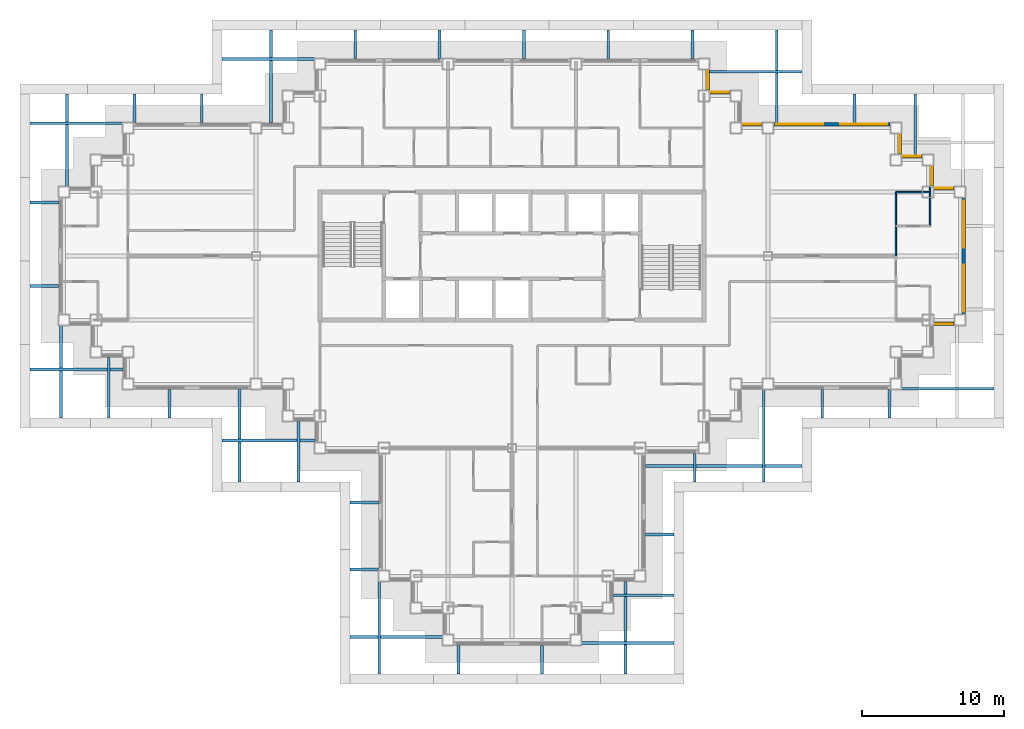
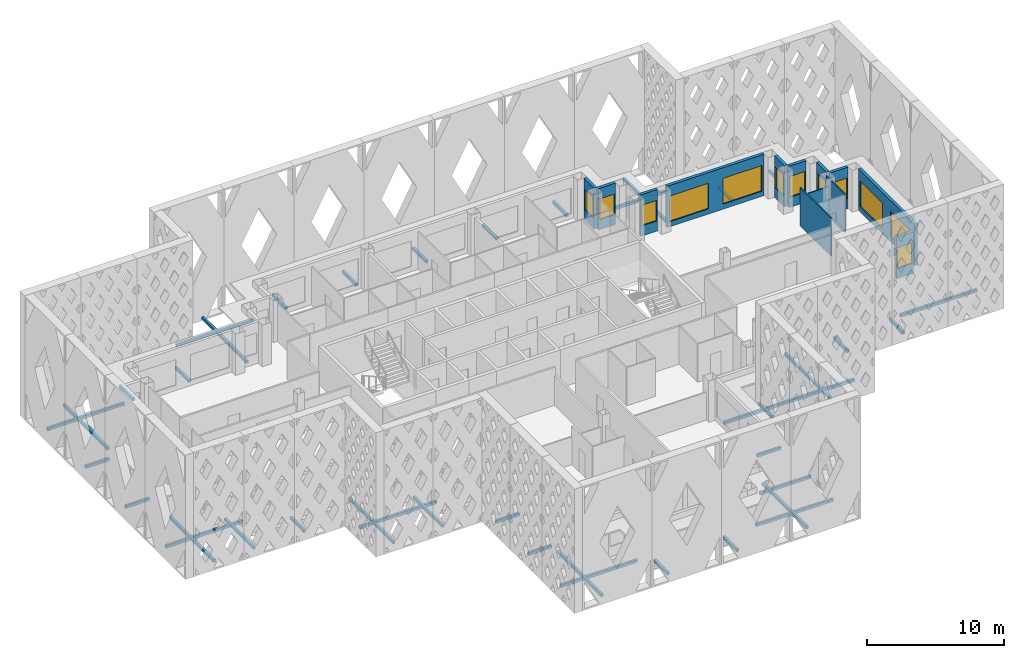
# One storey, part 9 of 18: 40 discrete accessories, 13 walls, 12 windows, 12 openings.
"""IFC4 building model written with IfcOpenShell, lengths in metres."""

from ifc_helpers import new_model, si_unit, direction, frame, frame_2d, origin, origin_2d, place, context, subcontext, project, spatial, rectangle, extrude, material, layer, layer_set, type_object, element, fill, save


model = new_model("IFC4")

# Units and contexts
model_context = context("Model", 3, precision=1e-05, world=origin(), true_north=direction((0.0, 1.0)))
body_context = subcontext(model_context, "Body", "Model", "MODEL_VIEW")
ifc_project = project(units=[si_unit("LENGTHUNIT", "METRE"), si_unit("AREAUNIT", "SQUARE_METRE"), si_unit("VOLUMEUNIT", "CUBIC_METRE"), si_unit("PLANEANGLEUNIT", "RADIAN"), si_unit("MASSUNIT", "GRAM", prefix="KILO")], contexts=[model_context])

# Site, building, storey
site_placement = place(None, origin())
site = spatial("IfcSite", under=ifc_project, at=site_placement, CompositionType="ELEMENT")
building_placement = place(site_placement, origin())
building = spatial("IfcBuilding", under=site, at=building_placement, Name="Caravel Reach Hotel and Residences", CompositionType="ELEMENT")
storey_placement = place(building_placement, frame((0.0, 0.0, 165.39990234375)))
storey = spatial("IfcBuildingStorey", under=building, at=storey_placement, Name="L41", CompositionType="ELEMENT", Elevation=165.39990234375)

# Wall
ifc_material_1 = material(Name="Gypsum board on steel stud", Category="steel")
ifc_layer_1 = layer(ifc_material_1, 0.10009765625)
ifc_layer_set_1 = layer_set([ifc_layer_1], Name="Bathroom pod wall 100 mm")
wall_type_1 = type_object("IfcWallType", Name="Bathroom pod wall 100 mm", PredefinedType="PARTITIONING", material=ifc_layer_set_1)
wall_1_placement = place(storey_placement, frame((60.89990234375, 29.10009765625, 0.0), z_axis=(0.0, 0.0, 1.0), x_axis=(0.0, 1.0, 0.0)))
element("IfcWall", 1, at=wall_1_placement, inside=storey, type_object=wall_type_1, Name="L41 wall w104", PredefinedType="PARTITIONING", context=body_context, shape_type="SweptSolid", body=[
    extrude(rectangle(XDim=2.7998046875, YDim=0.10009765625, at=frame_2d((1.39990234375, 0.0))), origin(), (0.0, 0.0, 1.0), 3.400146484375),
])

# Wall, opening, window
ifc_material_2 = material(Name="Insulated rainscreen wall, aluminium cladding", Category="aluminium")
ifc_layer_2 = layer(ifc_material_2, 0.25)
ifc_layer_set_2 = layer_set([ifc_layer_2], Name="EW1 Tower rainscreen wall")
wall_type_2 = type_object("IfcWallType", Name="EW1 Tower rainscreen wall", PredefinedType="SOLIDWALL", material=ifc_layer_set_2)
wall_2_placement = place(storey_placement, frame((61.14990234375, 22.22509765625, 0.0), z_axis=(0.0, 0.0, 1.0), x_axis=(1.0, 0.0, 0.0)))
wall_2 = element("IfcWall", 2, at=wall_2_placement, inside=storey, type_object=wall_type_2, Name="External wall L41 S19.1", PredefinedType="SOLIDWALL", context=body_context, shape_type="SweptSolid", body=[
    extrude(rectangle(XDim=1.4501953125, YDim=0.25, at=frame_2d((0.72509765625, 0.0))), origin(), (0.0, 0.0, 1.0), 3.7001953125),
])
opening_1_placement = place(wall_2_placement, frame((0.10009765625, 0.0, 0.89990234375)))
opening_1 = element("IfcOpeningElement", 3, at=opening_1_placement, cuts=wall_2, Name="Opening WN13", PredefinedType="OPENING", context=body_context, shape_type="SweptSolid", body=[
    extrude(rectangle(XDim=1.25, YDim=1.85009765625, at=frame_2d((0.625, 0.925048828125))), frame((0.0, 0.135009765625, 0.0), z_axis=(0.0, -1.0, 0.0), x_axis=(1.0, 0.0, 0.0)), (0.0, 0.0, 1.0), 0.27001953125),
])
ifc_material_3 = material(Name="Dark low-e glazing in black aluminium frame", Category="aluminium")
window_type_1 = type_object("IfcWindowType", Name="Residence bedroom window 1250 x 1850", PartitioningType="SINGLE_PANEL", PredefinedType="WINDOW", material=ifc_material_3)
window_1_placement = place(opening_1_placement, origin())
window_1 = element("IfcWindow", 4, at=window_1_placement, inside=storey, type_object=window_type_1, Name="Window L41 S19.1.1", OverallHeight=1.85009765625, OverallWidth=1.25, PartitioningType="SINGLE_PANEL", PredefinedType="WINDOW", context=body_context, shape_type="SweptSolid", body=[
    extrude(rectangle(XDim=1.25, YDim=1.85009765625, at=frame_2d((0.625, 0.925048828125))), frame((0.0, 0.030029296875, 0.0), z_axis=(0.0, -1.0, 0.0), x_axis=(1.0, 0.0, 0.0)), (0.0, 0.0, 1.0), 0.06005859375),
])
fill(opening_1, window_1)

# Wall, openings, windows
wall_3_placement = place(storey_placement, frame((63.27490234375, 22.89990234375, 0.0), z_axis=(0.0, 0.0, 1.0), x_axis=(0.0, 1.0, 0.0)))
wall_3 = element("IfcWall", 5, at=wall_3_placement, inside=storey, type_object=wall_type_2, Name="External wall L41 E20.1", PredefinedType="SOLIDWALL", context=body_context, shape_type="SweptSolid", body=[
    extrude(rectangle(XDim=8.2001953125, YDim=0.25, at=frame_2d((4.10009765625, 0.0))), origin(), (0.0, 0.0, 1.0), 3.7001953125),
])
opening_2_placement = place(wall_3_placement, frame((0.199951171875, 0.0, 0.449951171875)))
opening_2 = element("IfcOpeningElement", 6, at=opening_2_placement, cuts=wall_3, Name="Opening WN15", PredefinedType="OPENING", context=body_context, shape_type="SweptSolid", body=[
    extrude(rectangle(XDim=3.300048828125, YDim=2.300048828125, at=frame_2d((1.64990234375, 1.14990234375))), frame((0.0, 0.135009765625, 0.0), z_axis=(0.0, -1.0, 0.0), x_axis=(1.0, 0.0, 0.0)), (0.0, 0.0, 1.0), 0.27001953125),
])
opening_3_placement = place(wall_3_placement, frame((4.699951171875, 0.0, 0.449951171875)))
opening_3 = element("IfcOpeningElement", 7, at=opening_3_placement, cuts=wall_3, Name="Opening WN15", PredefinedType="OPENING", context=body_context, shape_type="SweptSolid", body=[
    extrude(rectangle(XDim=3.300048828125, YDim=2.300048828125, at=frame_2d((1.64990234375, 1.14990234375))), frame((0.0, 0.135009765625, 0.0), z_axis=(0.0, -1.0, 0.0), x_axis=(1.0, 0.0, 0.0)), (0.0, 0.0, 1.0), 0.27001953125),
])
ifc_material_4 = material(Name="Dark low-e glazing in black aluminium frame", Category="aluminium")
window_type_2 = type_object("IfcWindowType", Name="Residence living window 3300 x 2300", PartitioningType="SINGLE_PANEL", PredefinedType="WINDOW", material=ifc_material_4)
window_2_placement = place(opening_2_placement, origin())
window_2 = element("IfcWindow", 8, at=window_2_placement, inside=storey, type_object=window_type_2, Name="Window L41 E20.1.1", OverallHeight=2.300048828125, OverallWidth=3.300048828125, PartitioningType="SINGLE_PANEL", PredefinedType="WINDOW", context=body_context, shape_type="SweptSolid", body=[
    extrude(rectangle(XDim=3.300048828125, YDim=2.300048828125, at=frame_2d((1.64990234375, 1.14990234375))), frame((0.0, 0.030029296875, 0.0), z_axis=(0.0, -1.0, 0.0), x_axis=(1.0, 0.0, 0.0)), (0.0, 0.0, 1.0), 0.06005859375),
])
fill(opening_2, window_2)
window_3_placement = place(opening_3_placement, origin())
window_3 = element("IfcWindow", 9, at=window_3_placement, inside=storey, type_object=window_type_2, Name="Window L41 E20.1.2", OverallHeight=2.300048828125, OverallWidth=3.300048828125, PartitioningType="SINGLE_PANEL", PredefinedType="WINDOW", context=body_context, shape_type="SweptSolid", body=[
    extrude(rectangle(XDim=3.300048828125, YDim=2.300048828125, at=frame_2d((1.64990234375, 1.14990234375))), frame((0.0, 0.030029296875, 0.0), z_axis=(0.0, -1.0, 0.0), x_axis=(1.0, 0.0, 0.0)), (0.0, 0.0, 1.0), 0.06005859375),
])
fill(opening_3, window_3)

# Wall, opening, window
wall_4_placement = place(storey_placement, frame((62.60009765625, 31.77490234375, 0.0), z_axis=(0.0, 0.0, 1.0), x_axis=(-1.0, 0.0, 0.0)))
wall_4 = element("IfcWall", 10, at=wall_4_placement, inside=storey, type_object=wall_type_2, Name="External wall L41 N21.1", PredefinedType="SOLIDWALL", context=body_context, shape_type="SweptSolid", body=[
    extrude(rectangle(XDim=1.4501953125, YDim=0.25, at=frame_2d((0.72509765625, 0.0))), origin(), (0.0, 0.0, 1.0), 3.7001953125),
])
opening_4_placement = place(wall_4_placement, frame((0.10009765625, 0.0, 0.89990234375)))
opening_4 = element("IfcOpeningElement", 11, at=opening_4_placement, cuts=wall_4, Name="Opening WN13", PredefinedType="OPENING", context=body_context, shape_type="SweptSolid", body=[
    extrude(rectangle(XDim=1.25, YDim=1.85009765625, at=frame_2d((0.625, 0.925048828125))), frame((0.0, 0.135009765625, 0.0), z_axis=(0.0, -1.0, 0.0), x_axis=(1.0, 0.0, 0.0)), (0.0, 0.0, 1.0), 0.27001953125),
])
window_4_placement = place(opening_4_placement, origin())
window_4 = element("IfcWindow", 12, at=window_4_placement, inside=storey, type_object=window_type_1, Name="Window L41 N21.1.1", OverallHeight=1.85009765625, OverallWidth=1.25, PartitioningType="SINGLE_PANEL", PredefinedType="WINDOW", context=body_context, shape_type="SweptSolid", body=[
    extrude(rectangle(XDim=1.25, YDim=1.85009765625, at=frame_2d((0.625, 0.925048828125))), frame((0.0, 0.030029296875, 0.0), z_axis=(0.0, -1.0, 0.0), x_axis=(1.0, 0.0, 0.0)), (0.0, 0.0, 1.0), 0.06005859375),
])
fill(opening_4, window_4)

wall_5_placement = place(storey_placement, frame((61.02490234375, 31.89990234375, 0.0), z_axis=(0.0, 0.0, 1.0), x_axis=(0.0, 1.0, 0.0)))
wall_5 = element("IfcWall", 13, at=wall_5_placement, inside=storey, type_object=wall_type_2, Name="External wall L41 E22.1", PredefinedType="SOLIDWALL", context=body_context, shape_type="SweptSolid", body=[
    extrude(rectangle(XDim=1.4501953125, YDim=0.25, at=frame_2d((0.72509765625, 0.0))), origin(), (0.0, 0.0, 1.0), 3.7001953125),
])
opening_5_placement = place(wall_5_placement, frame((0.10009765625, 0.0, 0.89990234375)))
opening_5 = element("IfcOpeningElement", 14, at=opening_5_placement, cuts=wall_5, Name="Opening WN13", PredefinedType="OPENING", context=body_context, shape_type="SweptSolid", body=[
    extrude(rectangle(XDim=1.25, YDim=1.85009765625, at=frame_2d((0.625, 0.925048828125))), frame((0.0, 0.135009765625, 0.0), z_axis=(0.0, -1.0, 0.0), x_axis=(1.0, 0.0, 0.0)), (0.0, 0.0, 1.0), 0.27001953125),
])
window_5_placement = place(opening_5_placement, origin())
window_5 = element("IfcWindow", 15, at=window_5_placement, inside=storey, type_object=window_type_1, Name="Window L41 E22.1.1", OverallHeight=1.85009765625, OverallWidth=1.25, PartitioningType="SINGLE_PANEL", PredefinedType="WINDOW", context=body_context, shape_type="SweptSolid", body=[
    extrude(rectangle(XDim=1.25, YDim=1.85009765625, at=frame_2d((0.625, 0.925048828125))), frame((0.0, 0.030029296875, 0.0), z_axis=(0.0, -1.0, 0.0), x_axis=(1.0, 0.0, 0.0)), (0.0, 0.0, 1.0), 0.06005859375),
])
fill(opening_5, window_5)

wall_6_placement = place(storey_placement, frame((60.35009765625, 34.02490234375, 0.0), z_axis=(0.0, 0.0, 1.0), x_axis=(-1.0, 0.0, 0.0)))
wall_6 = element("IfcWall", 16, at=wall_6_placement, inside=storey, type_object=wall_type_2, Name="External wall L41 N23.1", PredefinedType="SOLIDWALL", context=body_context, shape_type="SweptSolid", body=[
    extrude(rectangle(XDim=1.4501953125, YDim=0.25, at=frame_2d((0.72509765625, 0.0))), origin(), (0.0, 0.0, 1.0), 3.7001953125),
])
opening_6_placement = place(wall_6_placement, frame((0.10009765625, 0.0, 0.89990234375)))
opening_6 = element("IfcOpeningElement", 17, at=opening_6_placement, cuts=wall_6, Name="Opening WN13", PredefinedType="OPENING", context=body_context, shape_type="SweptSolid", body=[
    extrude(rectangle(XDim=1.25, YDim=1.85009765625, at=frame_2d((0.625, 0.925048828125))), frame((0.0, 0.135009765625, 0.0), z_axis=(0.0, -1.0, 0.0), x_axis=(1.0, 0.0, 0.0)), (0.0, 0.0, 1.0), 0.27001953125),
])
window_6_placement = place(opening_6_placement, origin())
window_6 = element("IfcWindow", 18, at=window_6_placement, inside=storey, type_object=window_type_1, Name="Window L41 N23.1.1", OverallHeight=1.85009765625, OverallWidth=1.25, PartitioningType="SINGLE_PANEL", PredefinedType="WINDOW", context=body_context, shape_type="SweptSolid", body=[
    extrude(rectangle(XDim=1.25, YDim=1.85009765625, at=frame_2d((0.625, 0.925048828125))), frame((0.0, 0.030029296875, 0.0), z_axis=(0.0, -1.0, 0.0), x_axis=(1.0, 0.0, 0.0)), (0.0, 0.0, 1.0), 0.06005859375),
])
fill(opening_6, window_6)

wall_7_placement = place(storey_placement, frame((58.77490234375, 34.14990234375, 0.0), z_axis=(0.0, 0.0, 1.0), x_axis=(0.0, 1.0, 0.0)))
wall_7 = element("IfcWall", 19, at=wall_7_placement, inside=storey, type_object=wall_type_2, Name="External wall L41 E24.1", PredefinedType="SOLIDWALL", context=body_context, shape_type="SweptSolid", body=[
    extrude(rectangle(XDim=1.4501953125, YDim=0.25, at=frame_2d((0.72509765625, 0.0))), origin(), (0.0, 0.0, 1.0), 3.7001953125),
])
opening_7_placement = place(wall_7_placement, frame((0.10009765625, 0.0, 0.89990234375)))
opening_7 = element("IfcOpeningElement", 20, at=opening_7_placement, cuts=wall_7, Name="Opening WN13", PredefinedType="OPENING", context=body_context, shape_type="SweptSolid", body=[
    extrude(rectangle(XDim=1.25, YDim=1.85009765625, at=frame_2d((0.625, 0.925048828125))), frame((0.0, 0.135009765625, 0.0), z_axis=(0.0, -1.0, 0.0), x_axis=(1.0, 0.0, 0.0)), (0.0, 0.0, 1.0), 0.27001953125),
])
window_7_placement = place(opening_7_placement, origin())
window_7 = element("IfcWindow", 21, at=window_7_placement, inside=storey, type_object=window_type_1, Name="Window L41 E24.1.1", OverallHeight=1.85009765625, OverallWidth=1.25, PartitioningType="SINGLE_PANEL", PredefinedType="WINDOW", context=body_context, shape_type="SweptSolid", body=[
    extrude(rectangle(XDim=1.25, YDim=1.85009765625, at=frame_2d((0.625, 0.925048828125))), frame((0.0, 0.030029296875, 0.0), z_axis=(0.0, -1.0, 0.0), x_axis=(1.0, 0.0, 0.0)), (0.0, 0.0, 1.0), 0.06005859375),
])
fill(opening_7, window_7)

# Wall, openings, windows
wall_8_placement = place(storey_placement, frame((58.10009765625, 36.27490234375, 0.0), z_axis=(0.0, 0.0, 1.0), x_axis=(-1.0, 0.0, 0.0)))
wall_8 = element("IfcWall", 22, at=wall_8_placement, inside=storey, type_object=wall_type_2, Name="External wall L41 N25.1", PredefinedType="SOLIDWALL", context=body_context, shape_type="SweptSolid", body=[
    extrude(rectangle(XDim=8.2001953125, YDim=0.25, at=frame_2d((4.10009765625, 0.0))), origin(), (0.0, 0.0, 1.0), 3.7001953125),
])
opening_8_placement = place(wall_8_placement, frame((0.199951171875, 0.0, 0.449951171875)))
opening_8 = element("IfcOpeningElement", 23, at=opening_8_placement, cuts=wall_8, Name="Opening WN15", PredefinedType="OPENING", context=body_context, shape_type="SweptSolid", body=[
    extrude(rectangle(XDim=3.300048828125, YDim=2.300048828125, at=frame_2d((1.64990234375, 1.14990234375))), frame((0.0, 0.135009765625, 0.0), z_axis=(0.0, -1.0, 0.0), x_axis=(1.0, 0.0, 0.0)), (0.0, 0.0, 1.0), 0.27001953125),
])
opening_9_placement = place(wall_8_placement, frame((4.699951171875, 0.0, 0.449951171875)))
opening_9 = element("IfcOpeningElement", 24, at=opening_9_placement, cuts=wall_8, Name="Opening WN15", PredefinedType="OPENING", context=body_context, shape_type="SweptSolid", body=[
    extrude(rectangle(XDim=3.300048828125, YDim=2.300048828125, at=frame_2d((1.64990234375, 1.14990234375))), frame((0.0, 0.135009765625, 0.0), z_axis=(0.0, -1.0, 0.0), x_axis=(1.0, 0.0, 0.0)), (0.0, 0.0, 1.0), 0.27001953125),
])
window_8_placement = place(opening_8_placement, origin())
window_8 = element("IfcWindow", 25, at=window_8_placement, inside=storey, type_object=window_type_2, Name="Window L41 N25.1.1", OverallHeight=2.300048828125, OverallWidth=3.300048828125, PartitioningType="SINGLE_PANEL", PredefinedType="WINDOW", context=body_context, shape_type="SweptSolid", body=[
    extrude(rectangle(XDim=3.300048828125, YDim=2.300048828125, at=frame_2d((1.64990234375, 1.14990234375))), frame((0.0, 0.030029296875, 0.0), z_axis=(0.0, -1.0, 0.0), x_axis=(1.0, 0.0, 0.0)), (0.0, 0.0, 1.0), 0.06005859375),
])
fill(opening_8, window_8)
window_9_placement = place(opening_9_placement, origin())
window_9 = element("IfcWindow", 26, at=window_9_placement, inside=storey, type_object=window_type_2, Name="Window L41 N25.1.2", OverallHeight=2.300048828125, OverallWidth=3.300048828125, PartitioningType="SINGLE_PANEL", PredefinedType="WINDOW", context=body_context, shape_type="SweptSolid", body=[
    extrude(rectangle(XDim=3.300048828125, YDim=2.300048828125, at=frame_2d((1.64990234375, 1.14990234375))), frame((0.0, 0.030029296875, 0.0), z_axis=(0.0, -1.0, 0.0), x_axis=(1.0, 0.0, 0.0)), (0.0, 0.0, 1.0), 0.06005859375),
])
fill(opening_9, window_9)

# Wall, opening, window
wall_9_placement = place(storey_placement, frame((49.10009765625, 36.27490234375, 0.0), z_axis=(0.0, 0.0, 1.0), x_axis=(-1.0, 0.0, 0.0)))
wall_9 = element("IfcWall", 27, at=wall_9_placement, inside=storey, type_object=wall_type_2, Name="External wall L41 N25.2", PredefinedType="SOLIDWALL", context=body_context, shape_type="SweptSolid", body=[
    extrude(rectangle(XDim=1.4501953125, YDim=0.25, at=frame_2d((0.72509765625, 0.0))), origin(), (0.0, 0.0, 1.0), 3.7001953125),
])
opening_10_placement = place(wall_9_placement, frame((0.10009765625, 0.0, 0.89990234375)))
opening_10 = element("IfcOpeningElement", 28, at=opening_10_placement, cuts=wall_9, Name="Opening WN13", PredefinedType="OPENING", context=body_context, shape_type="SweptSolid", body=[
    extrude(rectangle(XDim=1.25, YDim=1.85009765625, at=frame_2d((0.625, 0.925048828125))), frame((0.0, 0.135009765625, 0.0), z_axis=(0.0, -1.0, 0.0), x_axis=(1.0, 0.0, 0.0)), (0.0, 0.0, 1.0), 0.27001953125),
])
window_10_placement = place(opening_10_placement, origin())
window_10 = element("IfcWindow", 29, at=window_10_placement, inside=storey, type_object=window_type_1, Name="Window L41 N25.2.1", OverallHeight=1.85009765625, OverallWidth=1.25, PartitioningType="SINGLE_PANEL", PredefinedType="WINDOW", context=body_context, shape_type="SweptSolid", body=[
    extrude(rectangle(XDim=1.25, YDim=1.85009765625, at=frame_2d((0.625, 0.925048828125))), frame((0.0, 0.030029296875, 0.0), z_axis=(0.0, -1.0, 0.0), x_axis=(1.0, 0.0, 0.0)), (0.0, 0.0, 1.0), 0.06005859375),
])
fill(opening_10, window_10)

wall_10_placement = place(storey_placement, frame((46.85009765625, 38.52490234375, 0.0), z_axis=(0.0, 0.0, 1.0), x_axis=(-1.0, 0.0, 0.0)))
wall_10 = element("IfcWall", 30, at=wall_10_placement, inside=storey, type_object=wall_type_2, Name="External wall L41 N27.1", PredefinedType="SOLIDWALL", context=body_context, shape_type="SweptSolid", body=[
    extrude(rectangle(XDim=1.4501953125, YDim=0.25, at=frame_2d((0.72509765625, 0.0))), origin(), (0.0, 0.0, 1.0), 3.7001953125),
])
opening_11_placement = place(wall_10_placement, frame((0.10009765625, 0.0, 0.89990234375)))
opening_11 = element("IfcOpeningElement", 31, at=opening_11_placement, cuts=wall_10, Name="Opening WN13", PredefinedType="OPENING", context=body_context, shape_type="SweptSolid", body=[
    extrude(rectangle(XDim=1.25, YDim=1.85009765625, at=frame_2d((0.625, 0.925048828125))), frame((0.0, 0.135009765625, 0.0), z_axis=(0.0, -1.0, 0.0), x_axis=(1.0, 0.0, 0.0)), (0.0, 0.0, 1.0), 0.27001953125),
])
window_11_placement = place(opening_11_placement, origin())
window_11 = element("IfcWindow", 32, at=window_11_placement, inside=storey, type_object=window_type_1, Name="Window L41 N27.1.1", OverallHeight=1.85009765625, OverallWidth=1.25, PartitioningType="SINGLE_PANEL", PredefinedType="WINDOW", context=body_context, shape_type="SweptSolid", body=[
    extrude(rectangle(XDim=1.25, YDim=1.85009765625, at=frame_2d((0.625, 0.925048828125))), frame((0.0, 0.030029296875, 0.0), z_axis=(0.0, -1.0, 0.0), x_axis=(1.0, 0.0, 0.0)), (0.0, 0.0, 1.0), 0.06005859375),
])
fill(opening_11, window_11)

wall_11_placement = place(storey_placement, frame((45.27490234375, 38.64990234375, 0.0), z_axis=(0.0, 0.0, 1.0), x_axis=(0.0, 1.0, 0.0)))
wall_11 = element("IfcWall", 33, at=wall_11_placement, inside=storey, type_object=wall_type_2, Name="External wall L41 E28.1", PredefinedType="SOLIDWALL", context=body_context, shape_type="SweptSolid", body=[
    extrude(rectangle(XDim=1.4501953125, YDim=0.25, at=frame_2d((0.72509765625, 0.0))), origin(), (0.0, 0.0, 1.0), 3.7001953125),
])
opening_12_placement = place(wall_11_placement, frame((0.10009765625, 0.0, 0.89990234375)))
opening_12 = element("IfcOpeningElement", 34, at=opening_12_placement, cuts=wall_11, Name="Opening WN13", PredefinedType="OPENING", context=body_context, shape_type="SweptSolid", body=[
    extrude(rectangle(XDim=1.25, YDim=1.85009765625, at=frame_2d((0.625, 0.925048828125))), frame((0.0, 0.135009765625, 0.0), z_axis=(0.0, -1.0, 0.0), x_axis=(1.0, 0.0, 0.0)), (0.0, 0.0, 1.0), 0.27001953125),
])
window_12_placement = place(opening_12_placement, origin())
window_12 = element("IfcWindow", 35, at=window_12_placement, inside=storey, type_object=window_type_1, Name="Window L41 E28.1.1", OverallHeight=1.85009765625, OverallWidth=1.25, PartitioningType="SINGLE_PANEL", PredefinedType="WINDOW", context=body_context, shape_type="SweptSolid", body=[
    extrude(rectangle(XDim=1.25, YDim=1.85009765625, at=frame_2d((0.625, 0.925048828125))), frame((0.0, 0.030029296875, 0.0), z_axis=(0.0, -1.0, 0.0), x_axis=(1.0, 0.0, 0.0)), (0.0, 0.0, 1.0), 0.06005859375),
])
fill(opening_12, window_12)

# Walls
ifc_material_5 = material(Name="Gypsum board on steel stud", Category="steel")
ifc_layer_3 = layer(ifc_material_5, 0.10009765625)
ifc_layer_set_3 = layer_set([ifc_layer_3], Name="Partition 100 mm")
wall_type_3 = type_object("IfcWallType", Name="Partition 100 mm", PredefinedType="PARTITIONING", material=ifc_layer_set_3)
wall_12_placement = place(storey_placement, frame((58.5009765625, 31.5, 0.0), z_axis=(0.0, 0.0, 1.0), x_axis=(1.0, 0.0, 0.0)))
element("IfcWall", 36, at=wall_12_placement, inside=storey, type_object=wall_type_3, Name="L41 wall w042", PredefinedType="PARTITIONING", context=body_context, shape_type="SweptSolid", body=[
    extrude(rectangle(XDim=2.43896484375, YDim=0.10009765625, at=frame_2d((1.219482421875, 0.0))), origin(), (0.0, 0.0, 1.0), 2.68017578125),
])
wall_13_placement = place(storey_placement, frame((58.5, 27.0, 0.0), z_axis=(0.0, 0.0, 1.0), x_axis=(0.0, 1.0, 0.0)))
element("IfcWall", 37, at=wall_13_placement, inside=storey, type_object=wall_type_3, Name="L41 wall w072", PredefinedType="PARTITIONING", context=body_context, shape_type="SweptSolid", body=[
    extrude(rectangle(XDim=4.5, YDim=0.10009765625, at=frame_2d((2.25, 0.0))), origin(), (0.0, 0.0, 1.0), 3.400146484375),
])

# Discrete accessories
ifc_material_6 = material(Name="Black powder-coated aluminium", Category="aluminium")
discrete_accessory_type = type_object("IfcDiscreteAccessoryType", Name="BR1 Screen bracket", PredefinedType="BRACKET", material=ifc_material_6)
for number, where, z_axis, x_axis, name in (
    (38, (21.10009765625, 9.679931640625, 0.10009765625), (0.0, 0.0, 1.0), (-1.0, 0.0, 0.0), "Screen bracket L41 1.1.1"),
    (39, (21.10009765625, 4.94677734375, 0.10009765625), (0.0, 0.0, 1.0), (-1.0, 0.0, 0.0), "Screen bracket L41 1.2.1"),
):
    element("IfcDiscreteAccessory", number, at=place(storey_placement, frame(where, z_axis=z_axis, x_axis=x_axis)), inside=storey, type_object=discrete_accessory_type, Name=name, PredefinedType="BRACKET", context=body_context, shape_type="SweptSolid", body=[
        extrude(rectangle(XDim=2.0, YDim=0.199951171875, at=origin_2d()), origin(), (0.0, 0.0, 1.0), 0.25),
    ])
for number, where, z_axis, x_axis, name in (
    (40, (23.35009765625, 0.21337890625, 0.10009765625), (0.0, 0.0, 1.0), (-1.0, 0.0, 0.0), "Screen bracket L41 1.3.1"),
    (41, (22.16259765625, 0.85009765625, 0.10009765625), (0.0, 0.0, 1.0), (0.0, -1.0, 0.0), "Screen bracket L41 2.1.1"),
):
    element("IfcDiscreteAccessory", number, at=place(storey_placement, frame(where, z_axis=z_axis, x_axis=x_axis)), inside=storey, type_object=discrete_accessory_type, Name=name, PredefinedType="BRACKET", context=body_context, shape_type="SweptSolid", body=[
        extrude(rectangle(XDim=6.5, YDim=0.199951171875, at=origin_2d()), origin(), (0.0, 0.0, 1.0), 0.25),
    ])
for number, where, z_axis, x_axis, name in (
    (42, (27.737548828125, -1.39990234375, 0.10009765625), (0.0, 0.0, 1.0), (0.0, -1.0, 0.0), "Screen bracket L41 2.2.1"),
    (43, (33.612548828125, -1.39990234375, 0.10009765625), (0.0, 0.0, 1.0), (0.0, -1.0, 0.0), "Screen bracket L41 2.3.1"),
):
    element("IfcDiscreteAccessory", number, at=place(storey_placement, frame(where, z_axis=z_axis, x_axis=x_axis)), inside=storey, type_object=discrete_accessory_type, Name=name, PredefinedType="BRACKET", context=body_context, shape_type="SweptSolid", body=[
        extrude(rectangle(XDim=2.0, YDim=0.199951171875, at=origin_2d()), origin(), (0.0, 0.0, 1.0), 0.25),
    ])
for number, where, z_axis, x_axis, name in (
    (44, (39.487548828125, 0.85009765625, 0.10009765625), (0.0, 0.0, 1.0), (0.0, -1.0, 0.0), "Screen bracket L41 2.4.1"),
    (45, (39.64990234375, -0.219970703125, 0.10009765625), (0.0, 0.0, 1.0), (1.0, 0.0, 0.0), "Screen bracket L41 3.1.1"),
):
    element("IfcDiscreteAccessory", number, at=place(storey_placement, frame(where, z_axis=z_axis, x_axis=x_axis)), inside=storey, type_object=discrete_accessory_type, Name=name, PredefinedType="BRACKET", context=body_context, shape_type="SweptSolid", body=[
        extrude(rectangle(XDim=6.5, YDim=0.199951171875, at=origin_2d()), origin(), (0.0, 0.0, 1.0), 0.25),
    ])
discrete_accessory_1_placement = place(storey_placement, frame((40.77490234375, 3.146728515625, 0.10009765625), z_axis=(0.0, 0.0, 1.0), x_axis=(1.0, 0.0, 0.0)))
element("IfcDiscreteAccessory", 46, at=discrete_accessory_1_placement, inside=storey, type_object=discrete_accessory_type, Name="Screen bracket L41 3.2.1", PredefinedType="BRACKET", context=body_context, shape_type="SweptSolid", body=[
    extrude(rectangle(XDim=4.25, YDim=0.199951171875, at=origin_2d()), origin(), (0.0, 0.0, 1.0), 0.25),
])
for number, where, z_axis, x_axis, name in (
    (47, (41.89990234375, 7.413330078125, 0.10009765625), (0.0, 0.0, 1.0), (1.0, 0.0, 0.0), "Screen bracket L41 3.3.1"),
    (48, (44.35498046875, 12.10009765625, 0.10009765625), (0.0, 0.0, 1.0), (0.0, -1.0, 0.0), "Screen bracket L41 4.1.1"),
):
    element("IfcDiscreteAccessory", number, at=place(storey_placement, frame(where, z_axis=z_axis, x_axis=x_axis)), inside=storey, type_object=discrete_accessory_type, Name=name, PredefinedType="BRACKET", context=body_context, shape_type="SweptSolid", body=[
        extrude(rectangle(XDim=2.0, YDim=0.199951171875, at=origin_2d()), origin(), (0.0, 0.0, 1.0), 0.25),
    ])
discrete_accessory_2_placement = place(storey_placement, frame((49.205078125, 14.35009765625, 0.10009765625), z_axis=(0.0, 0.0, 1.0), x_axis=(0.0, -1.0, 0.0)))
element("IfcDiscreteAccessory", 49, at=discrete_accessory_2_placement, inside=storey, type_object=discrete_accessory_type, Name="Screen bracket L41 4.2.1", PredefinedType="BRACKET", context=body_context, shape_type="SweptSolid", body=[
    extrude(rectangle(XDim=6.5, YDim=0.199951171875, at=origin_2d()), origin(), (0.0, 0.0, 1.0), 0.25),
])
discrete_accessory_3_placement = place(storey_placement, frame((46.39990234375, 12.239990234375, 0.10009765625), z_axis=(0.0, 0.0, 1.0), x_axis=(1.0, 0.0, 0.0)))
element("IfcDiscreteAccessory", 50, at=discrete_accessory_3_placement, inside=storey, type_object=discrete_accessory_type, Name="Screen bracket L41 5.1.1", PredefinedType="BRACKET", context=body_context, shape_type="SweptSolid", body=[
    extrude(rectangle(XDim=11.0, YDim=0.199951171875, at=origin_2d()), origin(), (0.0, 0.0, 1.0), 0.25),
])
for number, where, z_axis, x_axis, name in (
    (51, (53.320068359375, 16.60009765625, 0.10009765625), (0.0, 0.0, 1.0), (0.0, -1.0, 0.0), "Screen bracket L41 6.1.1"),
    (52, (58.05322265625, 16.60009765625, 0.10009765625), (0.0, 0.0, 1.0), (0.0, -1.0, 0.0), "Screen bracket L41 6.2.1"),
):
    element("IfcDiscreteAccessory", number, at=place(storey_placement, frame(where, z_axis=z_axis, x_axis=x_axis)), inside=storey, type_object=discrete_accessory_type, Name=name, PredefinedType="BRACKET", context=body_context, shape_type="SweptSolid", body=[
        extrude(rectangle(XDim=2.0, YDim=0.199951171875, at=origin_2d()), origin(), (0.0, 0.0, 1.0), 0.25),
    ])
discrete_accessory_4_placement = place(storey_placement, frame((62.14990234375, 17.66259765625, 0.10009765625), z_axis=(0.0, 0.0, 1.0), x_axis=(1.0, 0.0, 0.0)))
element("IfcDiscreteAccessory", 53, at=discrete_accessory_4_placement, inside=storey, type_object=discrete_accessory_type, Name="Screen bracket L41 7.1.1", PredefinedType="BRACKET", context=body_context, shape_type="SweptSolid", body=[
    extrude(rectangle(XDim=6.5, YDim=0.199951171875, at=origin_2d()), origin(), (0.0, 0.0, 1.0), 0.25),
])
discrete_accessory_5_placement = place(storey_placement, frame((59.853271484375, 36.27490234375, 0.10009765625), z_axis=(0.0, 0.0, 1.0), x_axis=(0.0, 1.0, 0.0)))
element("IfcDiscreteAccessory", 54, at=discrete_accessory_5_placement, inside=storey, type_object=discrete_accessory_type, Name="Screen bracket L41 8.2.1", PredefinedType="BRACKET", context=body_context, shape_type="SweptSolid", body=[
    extrude(rectangle(XDim=4.25, YDim=0.199951171875, at=origin_2d()), origin(), (0.0, 0.0, 1.0), 0.25),
])
discrete_accessory_6_placement = place(storey_placement, frame((55.586669921875, 37.39990234375, 0.10009765625), z_axis=(0.0, 0.0, 1.0), x_axis=(0.0, 1.0, 0.0)))
element("IfcDiscreteAccessory", 55, at=discrete_accessory_6_placement, inside=storey, type_object=discrete_accessory_type, Name="Screen bracket L41 8.3.1", PredefinedType="BRACKET", context=body_context, shape_type="SweptSolid", body=[
    extrude(rectangle(XDim=2.0, YDim=0.199951171875, at=origin_2d()), origin(), (0.0, 0.0, 1.0), 0.25),
])
for number, where, z_axis, x_axis, name in (
    (56, (48.64990234375, 39.9599609375, 0.10009765625), (0.0, 0.0, 1.0), (1.0, 0.0, 0.0), "Screen bracket L41 9.1.1"),
    (57, (50.121337890625, 39.64990234375, 0.10009765625), (0.0, 0.0, 1.0), (0.0, 1.0, 0.0), "Screen bracket L41 10.1.1"),
):
    element("IfcDiscreteAccessory", number, at=place(storey_placement, frame(where, z_axis=z_axis, x_axis=x_axis)), inside=storey, type_object=discrete_accessory_type, Name=name, PredefinedType="BRACKET", context=body_context, shape_type="SweptSolid", body=[
        extrude(rectangle(XDim=6.5, YDim=0.199951171875, at=origin_2d()), origin(), (0.0, 0.0, 1.0), 0.25),
    ])
for number, where, z_axis, x_axis, name in (
    (58, (44.19287109375, 41.89990234375, 0.10009765625), (0.0, 0.0, 1.0), (0.0, 1.0, 0.0), "Screen bracket L41 10.2.1"),
    (59, (38.264404296875, 41.89990234375, 0.10009765625), (0.0, 0.0, 1.0), (0.0, 1.0, 0.0), "Screen bracket L41 10.3.1"),
    (60, (32.335693359375, 41.89990234375, 0.10009765625), (0.0, 0.0, 1.0), (0.0, 1.0, 0.0), "Screen bracket L41 10.4.1"),
    (61, (26.4072265625, 41.89990234375, 0.10009765625), (0.0, 0.0, 1.0), (0.0, 1.0, 0.0), "Screen bracket L41 10.5.1"),
    (62, (20.478515625, 41.89990234375, 0.10009765625), (0.0, 0.0, 1.0), (0.0, 1.0, 0.0), "Screen bracket L41 10.6.1"),
):
    element("IfcDiscreteAccessory", number, at=place(storey_placement, frame(where, z_axis=z_axis, x_axis=x_axis)), inside=storey, type_object=discrete_accessory_type, Name=name, PredefinedType="BRACKET", context=body_context, shape_type="SweptSolid", body=[
        extrude(rectangle(XDim=2.0, YDim=0.199951171875, at=origin_2d()), origin(), (0.0, 0.0, 1.0), 0.25),
    ])
for number, where, z_axis, x_axis, name in (
    (63, (14.550048828125, 39.64990234375, 0.10009765625), (0.0, 0.0, 1.0), (0.0, 1.0, 0.0), "Screen bracket L41 10.7.1"),
    (64, (14.35009765625, 40.860107421875, 0.10009765625), (0.0, 0.0, 1.0), (-1.0, 0.0, 0.0), "Screen bracket L41 11.1.1"),
):
    element("IfcDiscreteAccessory", number, at=place(storey_placement, frame(where, z_axis=z_axis, x_axis=x_axis)), inside=storey, type_object=discrete_accessory_type, Name=name, PredefinedType="BRACKET", context=body_context, shape_type="SweptSolid", body=[
        extrude(rectangle(XDim=6.5, YDim=0.199951171875, at=origin_2d()), origin(), (0.0, 0.0, 1.0), 0.25),
    ])
for number, where, z_axis, x_axis, name in (
    (65, (9.679931640625, 37.39990234375, 0.10009765625), (0.0, 0.0, 1.0), (0.0, 1.0, 0.0), "Screen bracket L41 12.1.1"),
    (66, (4.94677734375, 37.39990234375, 0.10009765625), (0.0, 0.0, 1.0), (0.0, 1.0, 0.0), "Screen bracket L41 12.2.1"),
):
    element("IfcDiscreteAccessory", number, at=place(storey_placement, frame(where, z_axis=z_axis, x_axis=x_axis)), inside=storey, type_object=discrete_accessory_type, Name=name, PredefinedType="BRACKET", context=body_context, shape_type="SweptSolid", body=[
        extrude(rectangle(XDim=2.0, YDim=0.199951171875, at=origin_2d()), origin(), (0.0, 0.0, 1.0), 0.25),
    ])
for number, where, z_axis, x_axis, name in (
    (67, (0.21337890625, 35.14990234375, 0.10009765625), (0.0, 0.0, 1.0), (0.0, 1.0, 0.0), "Screen bracket L41 12.3.1"),
    (68, (0.85009765625, 36.33740234375, 0.10009765625), (0.0, 0.0, 1.0), (-1.0, 0.0, 0.0), "Screen bracket L41 13.1.1"),
):
    element("IfcDiscreteAccessory", number, at=place(storey_placement, frame(where, z_axis=z_axis, x_axis=x_axis)), inside=storey, type_object=discrete_accessory_type, Name=name, PredefinedType="BRACKET", context=body_context, shape_type="SweptSolid", body=[
        extrude(rectangle(XDim=6.5, YDim=0.199951171875, at=origin_2d()), origin(), (0.0, 0.0, 1.0), 0.25),
    ])
for number, where, z_axis, x_axis, name in (
    (69, (-1.39990234375, 30.762451171875, 0.10009765625), (0.0, 0.0, 1.0), (-1.0, 0.0, 0.0), "Screen bracket L41 13.2.1"),
    (70, (-1.39990234375, 24.887451171875, 0.10009765625), (0.0, 0.0, 1.0), (-1.0, 0.0, 0.0), "Screen bracket L41 13.3.1"),
):
    element("IfcDiscreteAccessory", number, at=place(storey_placement, frame(where, z_axis=z_axis, x_axis=x_axis)), inside=storey, type_object=discrete_accessory_type, Name=name, PredefinedType="BRACKET", context=body_context, shape_type="SweptSolid", body=[
        extrude(rectangle(XDim=2.0, YDim=0.199951171875, at=origin_2d()), origin(), (0.0, 0.0, 1.0), 0.25),
    ])
for number, where, z_axis, x_axis, name in (
    (71, (0.85009765625, 19.012451171875, 0.10009765625), (0.0, 0.0, 1.0), (-1.0, 0.0, 0.0), "Screen bracket L41 13.4.1"),
    (72, (-0.219970703125, 18.85009765625, 0.10009765625), (0.0, 0.0, 1.0), (0.0, -1.0, 0.0), "Screen bracket L41 14.1.1"),
):
    element("IfcDiscreteAccessory", number, at=place(storey_placement, frame(where, z_axis=z_axis, x_axis=x_axis)), inside=storey, type_object=discrete_accessory_type, Name=name, PredefinedType="BRACKET", context=body_context, shape_type="SweptSolid", body=[
        extrude(rectangle(XDim=6.5, YDim=0.199951171875, at=origin_2d()), origin(), (0.0, 0.0, 1.0), 0.25),
    ])
discrete_accessory_7_placement = place(storey_placement, frame((3.146728515625, 17.72509765625, 0.10009765625), z_axis=(0.0, 0.0, 1.0), x_axis=(0.0, -1.0, 0.0)))
element("IfcDiscreteAccessory", 73, at=discrete_accessory_7_placement, inside=storey, type_object=discrete_accessory_type, Name="Screen bracket L41 14.2.1", PredefinedType="BRACKET", context=body_context, shape_type="SweptSolid", body=[
    extrude(rectangle(XDim=4.25, YDim=0.199951171875, at=origin_2d()), origin(), (0.0, 0.0, 1.0), 0.25),
])
discrete_accessory_8_placement = place(storey_placement, frame((7.413330078125, 16.60009765625, 0.10009765625), z_axis=(0.0, 0.0, 1.0), x_axis=(0.0, -1.0, 0.0)))
element("IfcDiscreteAccessory", 74, at=discrete_accessory_8_placement, inside=storey, type_object=discrete_accessory_type, Name="Screen bracket L41 14.3.1", PredefinedType="BRACKET", context=body_context, shape_type="SweptSolid", body=[
    extrude(rectangle(XDim=2.0, YDim=0.199951171875, at=origin_2d()), origin(), (0.0, 0.0, 1.0), 0.25),
])
for number, where, z_axis, x_axis, name in (
    (75, (14.35009765625, 14.0400390625, 0.10009765625), (0.0, 0.0, 1.0), (-1.0, 0.0, 0.0), "Screen bracket L41 15.1.1"),
    (76, (12.344970703125, 14.35009765625, 0.10009765625), (0.0, 0.0, 1.0), (0.0, -1.0, 0.0), "Screen bracket L41 16.1.1"),
):
    element("IfcDiscreteAccessory", number, at=place(storey_placement, frame(where, z_axis=z_axis, x_axis=x_axis)), inside=storey, type_object=discrete_accessory_type, Name=name, PredefinedType="BRACKET", context=body_context, shape_type="SweptSolid", body=[
        extrude(rectangle(XDim=6.5, YDim=0.199951171875, at=origin_2d()), origin(), (0.0, 0.0, 1.0), 0.25),
    ])
discrete_accessory_9_placement = place(storey_placement, frame((16.4951171875, 13.22509765625, 0.10009765625), z_axis=(0.0, 0.0, 1.0), x_axis=(0.0, -1.0, 0.0)))
element("IfcDiscreteAccessory", 77, at=discrete_accessory_9_placement, inside=storey, type_object=discrete_accessory_type, Name="Screen bracket L41 16.2.1", PredefinedType="BRACKET", context=body_context, shape_type="SweptSolid", body=[
    extrude(rectangle(XDim=4.25, YDim=0.199951171875, at=origin_2d()), origin(), (0.0, 0.0, 1.0), 0.25),
])

save(model, "model.ifc")
